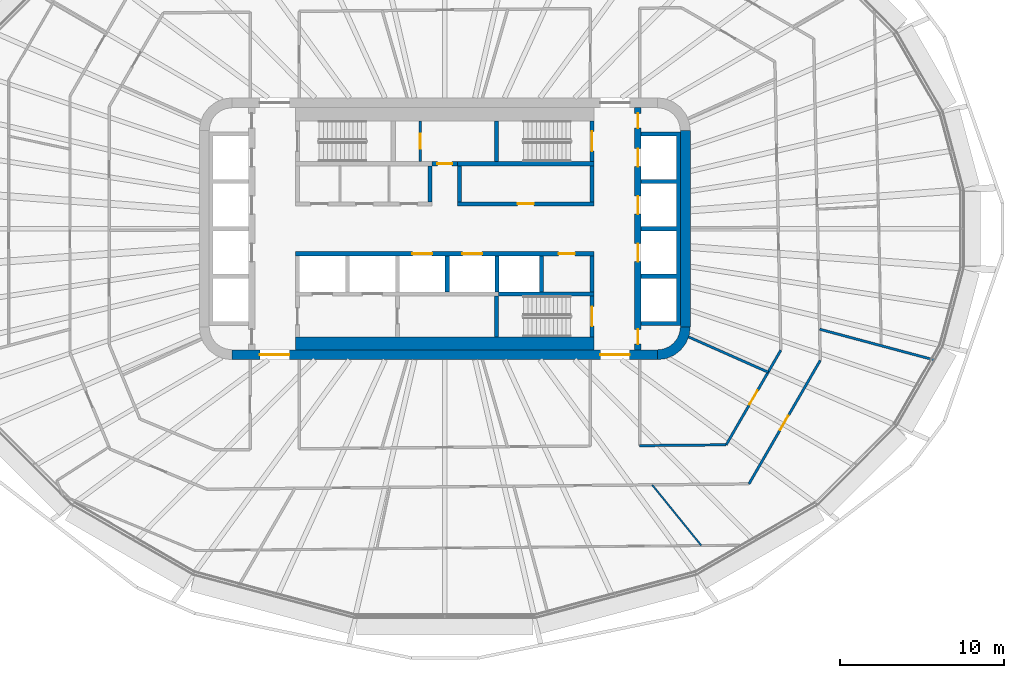
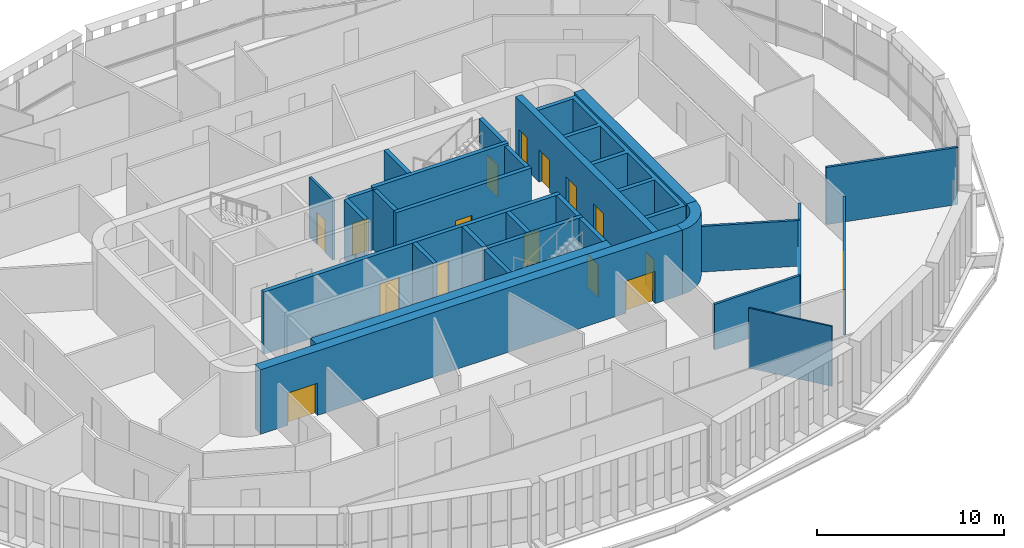
# One storey, part 16 of 26: 29 walls, 17 doors, 17 openings.
"""IFC4 building model written with IfcOpenShell, lengths in metres."""

from ifc_helpers import new_model, si_unit, direction, frame, frame_2d, origin, place, context, subcontext, project, spatial, polyline, rectangle, outline, extrude, material, layer, layer_set, type_object, element, fill, save


model = new_model("IFC4")

# Units and contexts
model_context = context("Model", 3, precision=1e-05, world=origin(), true_north=direction((0.0, 1.0)))
body_context = subcontext(model_context, "Body", "Model", "MODEL_VIEW")
ifc_project = project(units=[si_unit("LENGTHUNIT", "METRE"), si_unit("AREAUNIT", "SQUARE_METRE"), si_unit("VOLUMEUNIT", "CUBIC_METRE"), si_unit("PLANEANGLEUNIT", "RADIAN"), si_unit("MASSUNIT", "GRAM", prefix="KILO")], contexts=[model_context])

# Site, building, storey
site_placement = place(None, origin())
site = spatial("IfcSite", under=ifc_project, at=site_placement, CompositionType="ELEMENT")
building_placement = place(site_placement, origin())
building = spatial("IfcBuilding", under=site, at=building_placement, Name="Sahrelin Media Tower", CompositionType="ELEMENT")
storey_placement = place(building_placement, frame((0.0, 0.0, 84.0)))
storey = spatial("IfcBuildingStorey", under=building, at=storey_placement, Name="L15", CompositionType="ELEMENT", Elevation=84.0)

# Wall, openings, doors
ifc_material_1 = material(Name="Concrete C60/75", Category="concrete")
ifc_layer_1 = layer(ifc_material_1, 0.60009765625)
ifc_layer_set_1 = layer_set([ifc_layer_1], Name="Core wall 600")
wall_type_1 = type_object("IfcWallType", Name="Core wall 600", PredefinedType="SHEAR", material=ifc_layer_set_1)
wall_1_placement = place(storey_placement, frame((-13.0, -7.699951171875, 0.0), z_axis=(0.0, 0.0, 1.0), x_axis=(1.0, 0.0, 0.0)))
wall_1 = element("IfcWall", 1, at=wall_1_placement, inside=storey, type_object=wall_type_1, Name="Core wall S L15", PredefinedType="SHEAR", context=body_context, shape_type="SweptSolid", body=[
    extrude(rectangle(XDim=26.0, YDim=0.60009765625, at=frame_2d((13.0, 0.0))), origin(), (0.0, 0.0, 1.0), 4.199951171875),
])
opening_1_placement = place(wall_1_placement, frame((1.699951171875, 0.0, 0.0)))
opening_1 = element("IfcOpeningElement", 2, at=opening_1_placement, cuts=wall_1, Name="Opening L15-D19", PredefinedType="OPENING", context=body_context, shape_type="SweptSolid", body=[
    extrude(rectangle(XDim=1.800048828125, YDim=2.10009765625, at=frame_2d((0.89990234375, 1.050048828125))), frame((0.0, 0.300048828125, 0.0), z_axis=(0.0, -1.0, 0.0), x_axis=(1.0, 0.0, 0.0)), (0.0, 0.0, 1.0), 0.60009765625),
])
opening_2_placement = place(wall_1_placement, frame((22.5, 0.0, 0.0)))
opening_2 = element("IfcOpeningElement", 3, at=opening_2_placement, cuts=wall_1, Name="Opening L15-D20", PredefinedType="OPENING", context=body_context, shape_type="SweptSolid", body=[
    extrude(rectangle(XDim=1.800048828125, YDim=2.10009765625, at=frame_2d((0.89990234375, 1.050048828125))), frame((0.0, 0.300048828125, 0.0), z_axis=(0.0, -1.0, 0.0), x_axis=(1.0, 0.0, 0.0)), (0.0, 0.0, 1.0), 0.60009765625),
])
ifc_material_2 = material(Name="Steel fire door leaf", Category="steel")
door_type_1 = type_object("IfcDoorType", Name="Lobby double door 1800 x 2100 EI 60", OperationType="DOUBLE_DOOR_SINGLE_SWING", PredefinedType="DOOR", material=ifc_material_2)
door_1_placement = place(opening_1_placement, origin())
door_1 = element("IfcDoor", 4, at=door_1_placement, inside=storey, type_object=door_type_1, Name="Lobby door", OperationType="DOUBLE_DOOR_SINGLE_SWING", OverallHeight=2.10009765625, OverallWidth=1.800048828125, PredefinedType="DOOR", context=body_context, shape_type="SweptSolid", body=[
    extrude(rectangle(XDim=1.800048828125, YDim=2.10009765625, at=frame_2d((0.89990234375, 1.050048828125))), frame((0.0, 0.02490234375, 0.0), z_axis=(0.0, -1.0, 0.0), x_axis=(1.0, 0.0, 0.0)), (0.0, 0.0, 1.0), 0.050048828125),
])
fill(opening_1, door_1)
door_2_placement = place(opening_2_placement, origin())
door_2 = element("IfcDoor", 5, at=door_2_placement, inside=storey, type_object=door_type_1, Name="Lobby door", OperationType="DOUBLE_DOOR_SINGLE_SWING", OverallHeight=2.10009765625, OverallWidth=1.800048828125, PredefinedType="DOOR", context=body_context, shape_type="SweptSolid", body=[
    extrude(rectangle(XDim=1.800048828125, YDim=2.10009765625, at=frame_2d((0.89990234375, 1.050048828125))), frame((0.0, 0.02490234375, 0.0), z_axis=(0.0, -1.0, 0.0), x_axis=(1.0, 0.0, 0.0)), (0.0, 0.0, 1.0), 0.050048828125),
])
fill(opening_2, door_2)

# Walls
wall_2_placement = place(storey_placement, frame((14.699951171875, -6.0, 0.0), z_axis=(0.0, 0.0, 1.0), x_axis=(0.0, 1.0, 0.0)))
element("IfcWall", 6, at=wall_2_placement, inside=storey, type_object=wall_type_1, Name="Core wall E L15", PredefinedType="SHEAR", context=body_context, shape_type="SweptSolid", body=[
    extrude(rectangle(XDim=12.0, YDim=0.60009765625, at=frame_2d((6.0, 0.0))), origin(), (0.0, 0.0, 1.0), 4.199951171875),
])
placement = place(storey_placement, origin())
element("IfcWall", 7, at=placement, inside=storey, type_object=wall_type_1, Name="Core wall corner SE L15", PredefinedType="SHEAR", context=body_context, shape_type="SweptSolid", body=[
    extrude(outline(polyline([(15.0, -6.0), (14.394775390625, -6.0), (14.347412109375, -6.361083984375), (14.2080078125, -6.697509765625), (13.986328125, -6.986328125), (13.697509765625, -7.2080078125), (13.361083984375, -7.347412109375), (13.0, -7.394775390625), (13.0, -8.0), (13.517578125, -7.931884765625), (14.0, -7.732177734375), (14.414306640625, -7.414306640625), (14.732177734375, -7.0), (14.931884765625, -6.517578125), (15.0, -6.0)])), origin(), (0.0, 0.0, 1.0), 4.199951171875),
])

# Wall, opening, door
ifc_material_3 = material(Name="Fire-rated gypsum board partition")
ifc_layer_2 = layer(ifc_material_3, 0.25)
ifc_layer_set_2 = layer_set([ifc_layer_2], Name="Fire-rated lobby wall 250")
wall_type_2 = type_object("IfcWallType", Name="Fire-rated lobby wall 250", PredefinedType="PARTITIONING", material=ifc_layer_set_2)
wall_4_placement = place(storey_placement, frame((-0.77490234375, 3.97509765625, 0.0), z_axis=(0.0, 0.0, 1.0), x_axis=(1.0, 0.0, 0.0)))
wall_4 = element("IfcWall", 8, at=wall_4_placement, inside=storey, type_object=wall_type_2, Name="Core lobby wall", PredefinedType="PARTITIONING", context=body_context, shape_type="SweptSolid", body=[
    extrude(rectangle(XDim=1.5498046875, YDim=0.25, at=frame_2d((0.77490234375, 0.0))), origin(), (0.0, 0.0, 1.0), 3.89990234375),
])
opening_3_placement = place(wall_4_placement, frame((0.324951171875, 0.0, 0.0)))
opening_3 = element("IfcOpeningElement", 9, at=opening_3_placement, cuts=wall_4, Name="Opening L15-D06", PredefinedType="OPENING", context=body_context, shape_type="SweptSolid", body=[
    extrude(rectangle(XDim=0.89990234375, YDim=2.10009765625, at=frame_2d((0.449951171875, 1.050048828125))), frame((0.0, 0.125, 0.0), z_axis=(0.0, -1.0, 0.0), x_axis=(1.0, 0.0, 0.0)), (0.0, 0.0, 1.0), 0.25),
])
door_type_2 = type_object("IfcDoorType", Name="Riser door 900 x 2100 EI 120", OperationType="NOTDEFINED", PredefinedType="DOOR", material=ifc_material_2)
door_3_placement = place(opening_3_placement, origin())
door_3 = element("IfcDoor", 10, at=door_3_placement, inside=storey, type_object=door_type_2, Name="Core room door", OperationType="SINGLE_SWING_LEFT", OverallHeight=2.10009765625, OverallWidth=0.89990234375, PredefinedType="DOOR", context=body_context, shape_type="SweptSolid", body=[
    extrude(rectangle(XDim=0.89990234375, YDim=2.10009765625, at=frame_2d((0.449951171875, 1.050048828125))), frame((0.0, 0.02490234375, 0.0), z_axis=(0.0, -1.0, 0.0), x_axis=(1.0, 0.0, 0.0)), (0.0, 0.0, 1.0), 0.050048828125),
])
fill(opening_3, door_3)

wall_5_placement = place(storey_placement, frame((0.77490234375, 1.52490234375, 0.0), z_axis=(0.0, 0.0, 1.0), x_axis=(1.0, 0.0, 0.0)))
wall_5 = element("IfcWall", 11, at=wall_5_placement, inside=storey, type_object=wall_type_2, Name="Core lobby wall", PredefinedType="PARTITIONING", context=body_context, shape_type="SweptSolid", body=[
    extrude(rectangle(XDim=8.35009765625, YDim=0.25, at=frame_2d((4.175048828125, 0.0))), origin(), (0.0, 0.0, 1.0), 3.89990234375),
])
opening_4_placement = place(wall_5_placement, frame((3.675048828125, 0.0, 0.0)))
opening_4 = element("IfcOpeningElement", 12, at=opening_4_placement, cuts=wall_5, Name="Opening L15-D11", PredefinedType="OPENING", context=body_context, shape_type="SweptSolid", body=[
    extrude(rectangle(XDim=1.0, YDim=2.10009765625, at=frame_2d((0.5, 1.050048828125))), frame((0.0, 0.125, 0.0), z_axis=(0.0, -1.0, 0.0), x_axis=(1.0, 0.0, 0.0)), (0.0, 0.0, 1.0), 0.25),
])
door_type_3 = type_object("IfcDoorType", Name="Fire door 1000 x 2100 EI 60", OperationType="NOTDEFINED", PredefinedType="DOOR", material=ifc_material_2)
door_4_placement = place(opening_4_placement, origin())
door_4 = element("IfcDoor", 13, at=door_4_placement, inside=storey, type_object=door_type_3, Name="Core room door", OperationType="SINGLE_SWING_LEFT", OverallHeight=2.10009765625, OverallWidth=1.0, PredefinedType="DOOR", context=body_context, shape_type="SweptSolid", body=[
    extrude(rectangle(XDim=1.0, YDim=2.10009765625, at=frame_2d((0.5, 1.050048828125))), frame((0.0, 0.02490234375, 0.0), z_axis=(0.0, -1.0, 0.0), x_axis=(1.0, 0.0, 0.0)), (0.0, 0.0, 1.0), 0.050048828125),
])
fill(opening_4, door_4)

# Walls
for number, where, z_axis, x_axis, name in (
    (14, (-0.89990234375, 1.64990234375, 0.0), (0.0, 0.0, 1.0), (0.0, 1.0, 0.0), "Core lobby wall"),
    (15, (9.0, 1.64990234375, 0.0), (0.0, 0.0, 1.0), (0.0, 1.0, 0.0), "Core lobby wall"),
    (16, (0.89990234375, 1.64990234375, 0.0), (0.0, 0.0, 1.0), (0.0, 1.0, 0.0), "Core lobby wall"),
):
    element("IfcWall", number, at=place(storey_placement, frame(where, z_axis=z_axis, x_axis=x_axis)), inside=storey, type_object=wall_type_2, Name=name, PredefinedType="PARTITIONING", context=body_context, shape_type="SweptSolid", body=[
        extrude(rectangle(XDim=2.2001953125, YDim=0.25, at=frame_2d((1.10009765625, 0.0))), origin(), (0.0, 0.0, 1.0), 3.89990234375),
    ])

# Wall, opening, door
ifc_layer_3 = layer(ifc_material_3, 0.14990234375)
ifc_layer_set_3 = layer_set([ifc_layer_3], Name="Fire-rated partition 150")
wall_type_3 = type_object("IfcWallType", Name="Fire-rated partition 150", PredefinedType="PARTITIONING", material=ifc_layer_set_3)
wall_6_placement = place(storey_placement, frame((-1.5, 4.10009765625, 0.0), z_axis=(0.0, 0.0, 1.0), x_axis=(0.0, 1.0, 0.0)))
wall_6 = element("IfcWall", 17, at=wall_6_placement, inside=storey, type_object=wall_type_3, Name="Core room fire partition", PredefinedType="PARTITIONING", context=body_context, shape_type="SweptSolid", body=[
    extrude(rectangle(XDim=2.5, YDim=0.14990234375, at=frame_2d((1.25, 0.0))), origin(), (0.0, 0.0, 1.0), 3.89990234375),
])
opening_5_placement = place(wall_6_placement, frame((0.800048828125, 0.0, 0.0)))
opening_5 = element("IfcOpeningElement", 18, at=opening_5_placement, cuts=wall_6, Name="Opening L15-D07", PredefinedType="OPENING", context=body_context, shape_type="SweptSolid", body=[
    extrude(rectangle(XDim=0.89990234375, YDim=2.10009765625, at=frame_2d((0.449951171875, 1.050048828125))), frame((0.0, 0.074951171875, 0.0), z_axis=(0.0, -1.0, 0.0), x_axis=(1.0, 0.0, 0.0)), (0.0, 0.0, 1.0), 0.14990234375),
])
door_type_4 = type_object("IfcDoorType", Name="Fire door 900 x 2100 EI 60", OperationType="NOTDEFINED", PredefinedType="DOOR", material=ifc_material_2)
door_5_placement = place(opening_5_placement, origin())
door_5 = element("IfcDoor", 19, at=door_5_placement, inside=storey, type_object=door_type_4, Name="Core room door", OperationType="SINGLE_SWING_LEFT", OverallHeight=2.10009765625, OverallWidth=0.89990234375, PredefinedType="DOOR", context=body_context, shape_type="SweptSolid", body=[
    extrude(rectangle(XDim=0.89990234375, YDim=2.10009765625, at=frame_2d((0.449951171875, 1.050048828125))), frame((0.0, 0.02490234375, 0.0), z_axis=(0.0, -1.0, 0.0), x_axis=(1.0, 0.0, 0.0)), (0.0, 0.0, 1.0), 0.050048828125),
])
fill(opening_5, door_5)

# Walls
wall_7_placement = place(storey_placement, frame((14.89501953125, -6.60693359375, 0.0), z_axis=(0.0, 0.0, 1.0), x_axis=(0.914233271379, -0.405188259337, 0.0)))
element("IfcWall", 20, at=wall_7_placement, inside=storey, type_object=wall_type_3, Name="Wall", PredefinedType="PARTITIONING", context=body_context, shape_type="SweptSolid", body=[
    extrude(rectangle(XDim=5.3173828125, YDim=0.14990234375, at=frame_2d((2.65869140625, 0.0))), origin(), (0.0, 0.0, 1.0), 2.97705078125),
])
wall_8_placement = place(storey_placement, frame((22.905029296875, -6.136962890625, 0.0), z_axis=(0.0, 0.0, 1.0), x_axis=(0.965915974273, -0.258855810529, 0.0)))
element("IfcWall", 21, at=wall_8_placement, inside=storey, type_object=wall_type_3, Name="Wall", PredefinedType="PARTITIONING", context=body_context, shape_type="SweptSolid", body=[
    extrude(rectangle(XDim=7.270751953125, YDim=0.14990234375, at=frame_2d((3.63525390625, 0.0))), origin(), (0.0, 0.0, 1.0), 3.7265625),
])
wall_9_placement = place(storey_placement, frame((11.89990234375, -13.2529296875, 0.0), z_axis=(0.0, 0.0, 1.0), x_axis=(0.999950853109, 0.009914200296, 0.0)))
element("IfcWall", 22, at=wall_9_placement, inside=storey, type_object=wall_type_3, Name="Wall", PredefinedType="PARTITIONING", context=body_context, shape_type="SweptSolid", body=[
    extrude(rectangle(XDim=5.29443359375, YDim=0.14990234375, at=frame_2d((2.647216796875, 0.0))), origin(), (0.0, 0.0, 1.0), 2.96826171875),
])

# Wall, opening, door
wall_10_placement = place(storey_placement, frame((18.5869140625, -15.5869140625, 0.0), z_axis=(0.0, 0.0, 1.0), x_axis=(0.500026433136, 0.866010142069, 0.0)))
wall_10 = element("IfcWall", 23, at=wall_10_placement, inside=storey, type_object=wall_type_3, Name="Wall", PredefinedType="PARTITIONING", context=body_context, shape_type="SweptSolid", body=[
    extrude(rectangle(XDim=8.71337890625, YDim=0.14990234375, at=frame_2d((4.356689453125, 0.0))), origin(), (0.0, 0.0, 1.0), 2.96826171875),
])
opening_6_placement = place(wall_10_placement, frame((3.80712890625, 0.0, 0.0)))
opening_6 = element("IfcOpeningElement", 24, at=opening_6_placement, cuts=wall_10, Name="Opening L15-D36", PredefinedType="OPENING", context=body_context, shape_type="SweptSolid", body=[
    extrude(rectangle(XDim=1.0, YDim=2.10009765625, at=frame_2d((0.5, 1.050048828125))), frame((0.0, 0.074951171875, 0.0), z_axis=(0.0, -1.0, 0.0), x_axis=(1.0, 0.0, 0.0)), (0.0, 0.0, 1.0), 0.14990234375),
])
door_6_placement = place(opening_6_placement, origin())
door_6 = element("IfcDoor", 25, at=door_6_placement, inside=storey, type_object=door_type_3, Name="Fire door", OperationType="SINGLE_SWING_LEFT", OverallHeight=2.10009765625, OverallWidth=1.0, PredefinedType="DOOR", context=body_context, shape_type="SweptSolid", body=[
    extrude(rectangle(XDim=1.0, YDim=2.10009765625, at=frame_2d((0.5, 1.050048828125))), frame((0.0, 0.02490234375, 0.0), z_axis=(0.0, -1.0, 0.0), x_axis=(1.0, 0.0, 0.0)), (0.0, 0.0, 1.0), 0.050048828125),
])
fill(opening_6, door_6)

wall_11_placement = place(storey_placement, frame((17.194091796875, -13.200927734375, 0.0), z_axis=(0.0, 0.0, 1.0), x_axis=(0.50001062018, 0.866019272134, 0.0)))
wall_11 = element("IfcWall", 26, at=wall_11_placement, inside=storey, type_object=wall_type_3, Name="Wall", PredefinedType="PARTITIONING", context=body_context, shape_type="SweptSolid", body=[
    extrude(rectangle(XDim=6.673583984375, YDim=0.14990234375, at=frame_2d((3.3369140625, 0.0))), origin(), (0.0, 0.0, 1.0), 2.96826171875),
])
opening_7_placement = place(wall_11_placement, frame((2.83349609375, 0.0, 0.0)))
opening_7 = element("IfcOpeningElement", 27, at=opening_7_placement, cuts=wall_11, Name="Opening L15-D24", PredefinedType="OPENING", context=body_context, shape_type="SweptSolid", body=[
    extrude(rectangle(XDim=1.0, YDim=2.10009765625, at=frame_2d((0.5, 1.050048828125))), frame((0.0, 0.074951171875, 0.0), z_axis=(0.0, -1.0, 0.0), x_axis=(1.0, 0.0, 0.0)), (0.0, 0.0, 1.0), 0.14990234375),
])
door_7_placement = place(opening_7_placement, origin())
door_7 = element("IfcDoor", 28, at=door_7_placement, inside=storey, type_object=door_type_3, Name="Fire door", OperationType="SINGLE_SWING_LEFT", OverallHeight=2.10009765625, OverallWidth=1.0, PredefinedType="DOOR", context=body_context, shape_type="SweptSolid", body=[
    extrude(rectangle(XDim=1.0, YDim=2.10009765625, at=frame_2d((0.5, 1.050048828125))), frame((0.0, 0.02490234375, 0.0), z_axis=(0.0, -1.0, 0.0), x_axis=(1.0, 0.0, 0.0)), (0.0, 0.0, 1.0), 0.050048828125),
])
fill(opening_7, door_7)

# Wall, openings, doors
ifc_layer_4 = layer(ifc_material_1, 0.25)
ifc_layer_set_4 = layer_set([ifc_layer_4], Name="Lift shaft wall 250")
wall_type_4 = type_object("IfcWallType", Name="Lift shaft wall 250", PredefinedType="SOLIDWALL", material=ifc_layer_set_4)
wall_12_placement = place(storey_placement, frame((-9.125, -1.52490234375, 0.0), z_axis=(0.0, 0.0, 1.0), x_axis=(1.0, 0.0, 0.0)))
wall_12 = element("IfcWall", 29, at=wall_12_placement, inside=storey, type_object=wall_type_4, Name="Lift shaft wall", PredefinedType="SOLIDWALL", context=body_context, shape_type="SweptSolid", body=[
    extrude(rectangle(XDim=18.25, YDim=0.25, at=frame_2d((9.125, 0.0))), origin(), (0.0, 0.0, 1.0), 4.050048828125),
])
opening_8_placement = place(wall_12_placement, frame((7.14990234375, 0.0, 0.0)))
opening_8 = element("IfcOpeningElement", 30, at=opening_8_placement, cuts=wall_12, Name="Opening L15-LD-SV1", PredefinedType="OPENING", context=body_context, shape_type="SweptSolid", body=[
    extrude(rectangle(XDim=1.199951171875, YDim=2.10009765625, at=frame_2d((0.60009765625, 1.050048828125))), frame((0.0, 0.125, 0.0), z_axis=(0.0, -1.0, 0.0), x_axis=(1.0, 0.0, 0.0)), (0.0, 0.0, 1.0), 0.25),
])
opening_9_placement = place(wall_12_placement, frame((10.199951171875, 0.0, 0.0)))
opening_9 = element("IfcOpeningElement", 31, at=opening_9_placement, cuts=wall_12, Name="Opening L15-LD-SV2", PredefinedType="OPENING", context=body_context, shape_type="SweptSolid", body=[
    extrude(rectangle(XDim=1.199951171875, YDim=2.10009765625, at=frame_2d((0.60009765625, 1.050048828125))), frame((0.0, 0.125, 0.0), z_axis=(0.0, -1.0, 0.0), x_axis=(1.0, 0.0, 0.0)), (0.0, 0.0, 1.0), 0.25),
])
opening_10_placement = place(wall_12_placement, frame((16.074951171875, 0.0, 0.0)))
opening_10 = element("IfcOpeningElement", 32, at=opening_10_placement, cuts=wall_12, Name="Opening L15-D12", PredefinedType="OPENING", context=body_context, shape_type="SweptSolid", body=[
    extrude(rectangle(XDim=1.0, YDim=2.10009765625, at=frame_2d((0.5, 1.050048828125))), frame((0.0, 0.125, 0.0), z_axis=(0.0, -1.0, 0.0), x_axis=(1.0, 0.0, 0.0)), (0.0, 0.0, 1.0), 0.25),
])
door_8_placement = place(opening_10_placement, origin())
door_8 = element("IfcDoor", 33, at=door_8_placement, inside=storey, type_object=door_type_3, Name="Core room door", OperationType="SINGLE_SWING_RIGHT", OverallHeight=2.10009765625, OverallWidth=1.0, PredefinedType="DOOR", context=body_context, shape_type="SweptSolid", body=[
    extrude(rectangle(XDim=1.0, YDim=2.10009765625, at=frame_2d((0.5, 1.050048828125))), frame((0.0, 0.02490234375, 0.0), z_axis=(0.0, -1.0, 0.0), x_axis=(1.0, 0.0, 0.0)), (0.0, 0.0, 1.0), 0.050048828125),
])
fill(opening_10, door_8)
ifc_material_4 = material(Name="Stainless steel", Category="steel")
door_type_5 = type_object("IfcDoorType", Name="Lift landing door 1200 x 2100 EI 120", OperationType="DOUBLE_DOOR_SLIDING", PredefinedType="DOOR", material=ifc_material_4)
door_9_placement = place(opening_8_placement, origin())
door_9 = element("IfcDoor", 34, at=door_9_placement, inside=storey, type_object=door_type_5, Name="Lift landing door SV1", OperationType="DOUBLE_DOOR_SLIDING", OverallHeight=2.10009765625, OverallWidth=1.199951171875, PredefinedType="DOOR", context=body_context, shape_type="SweptSolid", body=[
    extrude(rectangle(XDim=1.199951171875, YDim=2.10009765625, at=frame_2d((0.60009765625, 1.050048828125))), frame((0.0, 0.02490234375, 0.0), z_axis=(0.0, -1.0, 0.0), x_axis=(1.0, 0.0, 0.0)), (0.0, 0.0, 1.0), 0.050048828125),
])
fill(opening_8, door_9)
door_10_placement = place(opening_9_placement, origin())
door_10 = element("IfcDoor", 35, at=door_10_placement, inside=storey, type_object=door_type_5, Name="Lift landing door SV2", OperationType="DOUBLE_DOOR_SLIDING", OverallHeight=2.10009765625, OverallWidth=1.199951171875, PredefinedType="DOOR", context=body_context, shape_type="SweptSolid", body=[
    extrude(rectangle(XDim=1.199951171875, YDim=2.10009765625, at=frame_2d((0.60009765625, 1.050048828125))), frame((0.0, 0.02490234375, 0.0), z_axis=(0.0, -1.0, 0.0), x_axis=(1.0, 0.0, 0.0)), (0.0, 0.0, 1.0), 0.050048828125),
])
fill(opening_9, door_10)

# Walls
wall_13_placement = place(storey_placement, frame((3.27490234375, -3.97509765625, 0.0), z_axis=(0.0, 0.0, 1.0), x_axis=(1.0, 0.0, 0.0)))
element("IfcWall", 36, at=wall_13_placement, inside=storey, type_object=wall_type_4, Name="Lift shaft wall", PredefinedType="SOLIDWALL", context=body_context, shape_type="SweptSolid", body=[
    extrude(rectangle(XDim=5.85009765625, YDim=0.25, at=frame_2d((2.925048828125, 0.0))), origin(), (0.0, 0.0, 1.0), 4.050048828125),
])
for number, where, z_axis, x_axis, name in (
    (37, (0.14990234375, -3.85009765625, 0.0), (0.0, 0.0, 1.0), (0.0, 1.0, 0.0), "Lift shaft wall"),
    (38, (3.199951171875, -3.85009765625, 0.0), (0.0, 0.0, 1.0), (0.0, 1.0, 0.0), "Lift shaft wall"),
    (39, (5.89990234375, -3.85009765625, 0.0), (0.0, 0.0, 1.0), (0.0, 1.0, 0.0), "Lift shaft wall"),
    (40, (9.0, -3.85009765625, 0.0), (0.0, 0.0, 1.0), (0.0, 1.0, 0.0), "Lift shaft wall"),
):
    element("IfcWall", number, at=place(storey_placement, frame(where, z_axis=z_axis, x_axis=x_axis)), inside=storey, type_object=wall_type_4, Name=name, PredefinedType="SOLIDWALL", context=body_context, shape_type="SweptSolid", body=[
        extrude(rectangle(XDim=2.2001953125, YDim=0.25, at=frame_2d((1.10009765625, 0.0))), origin(), (0.0, 0.0, 1.0), 4.050048828125),
    ])
element("IfcWall", 41, at=placement, inside=storey, type_object=wall_type_4, Name="Lift shaft wall", PredefinedType="SOLIDWALL", context=body_context, shape_type="SweptSolid", body=[
    extrude(outline(polyline([(12.0, -5.675048828125), (12.0, -5.925048828125), (14.14990234375, -5.925048828125), (14.39990234375, -5.925048828125), (14.39990234375, -5.675048828125), (14.39990234375, -3.02490234375), (14.39990234375, -2.77490234375), (14.39990234375, -0.125), (14.39990234375, 0.125), (14.39990234375, 2.77490234375), (14.39990234375, 3.02490234375), (14.39990234375, 5.675048828125), (14.39990234375, 5.925048828125), (14.14990234375, 5.925048828125), (12.0, 5.925048828125), (12.0, 5.675048828125), (14.14990234375, 5.675048828125), (14.14990234375, 3.02490234375), (12.0, 3.02490234375), (12.0, 2.77490234375), (14.14990234375, 2.77490234375), (14.14990234375, 0.125), (12.0, 0.125), (12.0, -0.125), (14.14990234375, -0.125), (14.14990234375, -2.77490234375), (12.0, -2.77490234375), (12.0, -3.02490234375), (14.14990234375, -3.02490234375), (14.14990234375, -5.675048828125), (12.0, -5.675048828125)])), origin(), (0.0, 0.0, 1.0), 4.050048828125),
])

# Wall, openings, doors
ifc_layer_5 = layer(ifc_material_1, 0.39990234375)
ifc_layer_set_5 = layer_set([ifc_layer_5], Name="Lift shaft wall 400")
wall_type_5 = type_object("IfcWallType", Name="Lift shaft wall 400", PredefinedType="SOLIDWALL", material=ifc_layer_set_5)
wall_15_placement = place(storey_placement, frame((11.800048828125, -7.39990234375, 0.0), z_axis=(0.0, 0.0, 1.0), x_axis=(0.0, 1.0, 0.0)))
wall_15 = element("IfcWall", 42, at=wall_15_placement, inside=storey, type_object=wall_type_5, Name="Lift shaft wall", PredefinedType="SOLIDWALL", context=body_context, shape_type="SweptSolid", body=[
    extrude(rectangle(XDim=14.7998046875, YDim=0.39990234375, at=frame_2d((7.39990234375, 0.0))), origin(), (0.0, 0.0, 1.0), 4.050048828125),
])
opening_11_placement = place(wall_15_placement, frame((11.199951171875, 0.0, 0.0)))
opening_11 = element("IfcOpeningElement", 43, at=opening_11_placement, cuts=wall_15, Name="Opening L15-LD-LR4", PredefinedType="OPENING", context=body_context, shape_type="SweptSolid", body=[
    extrude(rectangle(XDim=1.10009765625, YDim=2.10009765625, at=frame_2d((0.550048828125, 1.050048828125))), frame((0.0, 0.199951171875, 0.0), z_axis=(0.0, -1.0, 0.0), x_axis=(1.0, 0.0, 0.0)), (0.0, 0.0, 1.0), 0.39990234375),
])
opening_12_placement = place(wall_15_placement, frame((8.300048828125, 0.0, 0.0)))
opening_12 = element("IfcOpeningElement", 44, at=opening_12_placement, cuts=wall_15, Name="Opening L15-LD-LR5", PredefinedType="OPENING", context=body_context, shape_type="SweptSolid", body=[
    extrude(rectangle(XDim=1.10009765625, YDim=2.10009765625, at=frame_2d((0.550048828125, 1.050048828125))), frame((0.0, 0.199951171875, 0.0), z_axis=(0.0, -1.0, 0.0), x_axis=(1.0, 0.0, 0.0)), (0.0, 0.0, 1.0), 0.39990234375),
])
opening_13_placement = place(wall_15_placement, frame((5.39990234375, 0.0, 0.0)))
opening_13 = element("IfcOpeningElement", 45, at=opening_13_placement, cuts=wall_15, Name="Opening L15-LD-LR6", PredefinedType="OPENING", context=body_context, shape_type="SweptSolid", body=[
    extrude(rectangle(XDim=1.10009765625, YDim=2.10009765625, at=frame_2d((0.550048828125, 1.050048828125))), frame((0.0, 0.199951171875, 0.0), z_axis=(0.0, -1.0, 0.0), x_axis=(1.0, 0.0, 0.0)), (0.0, 0.0, 1.0), 0.39990234375),
])
opening_14_placement = place(wall_15_placement, frame((13.552490234375, 0.0, 0.0)))
opening_14 = element("IfcOpeningElement", 46, at=opening_14_placement, cuts=wall_15, Name="Opening L15-D15", PredefinedType="OPENING", context=body_context, shape_type="SweptSolid", body=[
    extrude(rectangle(XDim=0.89990234375, YDim=2.10009765625, at=frame_2d((0.449951171875, 1.050048828125))), frame((0.0, 0.199951171875, 0.0), z_axis=(0.0, -1.0, 0.0), x_axis=(1.0, 0.0, 0.0)), (0.0, 0.0, 1.0), 0.39990234375),
])
opening_15_placement = place(wall_15_placement, frame((0.347412109375, 0.0, 0.0)))
opening_15 = element("IfcOpeningElement", 47, at=opening_15_placement, cuts=wall_15, Name="Opening L15-D16", PredefinedType="OPENING", context=body_context, shape_type="SweptSolid", body=[
    extrude(rectangle(XDim=0.89990234375, YDim=2.10009765625, at=frame_2d((0.449951171875, 1.050048828125))), frame((0.0, 0.199951171875, 0.0), z_axis=(0.0, -1.0, 0.0), x_axis=(1.0, 0.0, 0.0)), (0.0, 0.0, 1.0), 0.39990234375),
])
door_type_6 = type_object("IfcDoorType", Name="Lift landing door 1100 x 2100 EI 120", OperationType="DOUBLE_DOOR_SLIDING", PredefinedType="DOOR", material=ifc_material_4)
door_11_placement = place(opening_11_placement, origin())
door_11 = element("IfcDoor", 48, at=door_11_placement, inside=storey, type_object=door_type_6, Name="Lift landing door LR4", OperationType="DOUBLE_DOOR_SLIDING", OverallHeight=2.10009765625, OverallWidth=1.10009765625, PredefinedType="DOOR", context=body_context, shape_type="SweptSolid", body=[
    extrude(rectangle(XDim=1.10009765625, YDim=2.10009765625, at=frame_2d((0.550048828125, 1.050048828125))), frame((0.0, 0.02490234375, 0.0), z_axis=(0.0, -1.0, 0.0), x_axis=(1.0, 0.0, 0.0)), (0.0, 0.0, 1.0), 0.050048828125),
])
fill(opening_11, door_11)
door_12_placement = place(opening_12_placement, origin())
door_12 = element("IfcDoor", 49, at=door_12_placement, inside=storey, type_object=door_type_6, Name="Lift landing door LR5", OperationType="DOUBLE_DOOR_SLIDING", OverallHeight=2.10009765625, OverallWidth=1.10009765625, PredefinedType="DOOR", context=body_context, shape_type="SweptSolid", body=[
    extrude(rectangle(XDim=1.10009765625, YDim=2.10009765625, at=frame_2d((0.550048828125, 1.050048828125))), frame((0.0, 0.02490234375, 0.0), z_axis=(0.0, -1.0, 0.0), x_axis=(1.0, 0.0, 0.0)), (0.0, 0.0, 1.0), 0.050048828125),
])
fill(opening_12, door_12)
door_13_placement = place(opening_13_placement, origin())
door_13 = element("IfcDoor", 50, at=door_13_placement, inside=storey, type_object=door_type_6, Name="Lift landing door LR6", OperationType="DOUBLE_DOOR_SLIDING", OverallHeight=2.10009765625, OverallWidth=1.10009765625, PredefinedType="DOOR", context=body_context, shape_type="SweptSolid", body=[
    extrude(rectangle(XDim=1.10009765625, YDim=2.10009765625, at=frame_2d((0.550048828125, 1.050048828125))), frame((0.0, 0.02490234375, 0.0), z_axis=(0.0, -1.0, 0.0), x_axis=(1.0, 0.0, 0.0)), (0.0, 0.0, 1.0), 0.050048828125),
])
fill(opening_13, door_13)
door_14_placement = place(opening_14_placement, origin())
door_14 = element("IfcDoor", 51, at=door_14_placement, inside=storey, type_object=door_type_2, Name="Riser door", OperationType="SINGLE_SWING_RIGHT", OverallHeight=2.10009765625, OverallWidth=0.89990234375, PredefinedType="DOOR", context=body_context, shape_type="SweptSolid", body=[
    extrude(rectangle(XDim=0.89990234375, YDim=2.10009765625, at=frame_2d((0.449951171875, 1.050048828125))), frame((0.0, 0.02490234375, 0.0), z_axis=(0.0, -1.0, 0.0), x_axis=(1.0, 0.0, 0.0)), (0.0, 0.0, 1.0), 0.050048828125),
])
fill(opening_14, door_14)
door_15_placement = place(opening_15_placement, origin())
door_15 = element("IfcDoor", 52, at=door_15_placement, inside=storey, type_object=door_type_2, Name="Riser door", OperationType="SINGLE_SWING_RIGHT", OverallHeight=2.10009765625, OverallWidth=0.89990234375, PredefinedType="DOOR", context=body_context, shape_type="SweptSolid", body=[
    extrude(rectangle(XDim=0.89990234375, YDim=2.10009765625, at=frame_2d((0.449951171875, 1.050048828125))), frame((0.0, 0.02490234375, 0.0), z_axis=(0.0, -1.0, 0.0), x_axis=(1.0, 0.0, 0.0)), (0.0, 0.0, 1.0), 0.050048828125),
])
fill(opening_15, door_15)

# Wall
ifc_material_5 = material(Name="Gypsum board partition")
ifc_layer_6 = layer(ifc_material_5, 0.10009765625)
ifc_layer_set_6 = layer_set([ifc_layer_6], Name="Partition 100")
wall_type_6 = type_object("IfcWallType", Name="Partition 100", PredefinedType="PARTITIONING", material=ifc_layer_set_6)
wall_16_placement = place(storey_placement, frame((12.669921875, -15.64599609375, 0.0), z_axis=(0.0, 0.0, 1.0), x_axis=(0.629429152062, -0.777057875923, 0.0)))
element("IfcWall", 53, at=wall_16_placement, inside=storey, type_object=wall_type_6, Name="Wall", PredefinedType="PARTITIONING", context=body_context, shape_type="SweptSolid", body=[
    extrude(rectangle(XDim=4.7744140625, YDim=0.10009765625, at=frame_2d((2.38720703125, 0.0))), origin(), (0.0, 0.0, 1.0), 3.89990234375),
])

# Wall, opening, door
ifc_layer_7 = layer(ifc_material_1, 0.25)
ifc_layer_set_7 = layer_set([ifc_layer_7], Name="Stair enclosure wall 250")
wall_type_7 = type_object("IfcWallType", Name="Stair enclosure wall 250", PredefinedType="SOLIDWALL", material=ifc_layer_set_7)
wall_17_placement = place(storey_placement, frame((9.0, 4.10009765625, 0.0), z_axis=(0.0, 0.0, 1.0), x_axis=(0.0, 1.0, 0.0)))
wall_17 = element("IfcWall", 54, at=wall_17_placement, inside=storey, type_object=wall_type_7, Name="Stair enclosure wall", PredefinedType="SOLIDWALL", context=body_context, shape_type="SweptSolid", body=[
    extrude(rectangle(XDim=2.5, YDim=0.25, at=frame_2d((1.25, 0.0))), origin(), (0.0, 0.0, 1.0), 4.050048828125),
])
opening_16_placement = place(wall_17_placement, frame((0.64990234375, 0.0, 0.0)))
opening_16 = element("IfcOpeningElement", 55, at=opening_16_placement, cuts=wall_17, Name="Opening L15-D02", PredefinedType="OPENING", context=body_context, shape_type="SweptSolid", body=[
    extrude(rectangle(XDim=1.199951171875, YDim=2.10009765625, at=frame_2d((0.60009765625, 1.050048828125))), frame((0.0, 0.125, 0.0), z_axis=(0.0, -1.0, 0.0), x_axis=(1.0, 0.0, 0.0)), (0.0, 0.0, 1.0), 0.25),
])
door_type_7 = type_object("IfcDoorType", Name="Stair door 1200 x 2100 EI 120", OperationType="NOTDEFINED", PredefinedType="DOOR", material=ifc_material_2)
door_16_placement = place(opening_16_placement, origin())
door_16 = element("IfcDoor", 56, at=door_16_placement, inside=storey, type_object=door_type_7, Name="Stair door ST3", OperationType="SINGLE_SWING_LEFT", OverallHeight=2.10009765625, OverallWidth=1.199951171875, PredefinedType="DOOR", context=body_context, shape_type="SweptSolid", body=[
    extrude(rectangle(XDim=1.199951171875, YDim=2.10009765625, at=frame_2d((0.60009765625, 1.050048828125))), frame((0.0, 0.02490234375, 0.0), z_axis=(0.0, -1.0, 0.0), x_axis=(1.0, 0.0, 0.0)), (0.0, 0.0, 1.0), 0.050048828125),
])
fill(opening_16, door_16)

wall_18_placement = place(storey_placement, frame((9.0, -6.60009765625, 0.0), z_axis=(0.0, 0.0, 1.0), x_axis=(0.0, 1.0, 0.0)))
wall_18 = element("IfcWall", 57, at=wall_18_placement, inside=storey, type_object=wall_type_7, Name="Stair enclosure wall", PredefinedType="SOLIDWALL", context=body_context, shape_type="SweptSolid", body=[
    extrude(rectangle(XDim=2.5, YDim=0.25, at=frame_2d((1.25, 0.0))), origin(), (0.0, 0.0, 1.0), 4.050048828125),
])
opening_17_placement = place(wall_18_placement, frame((0.64990234375, 0.0, 0.0)))
opening_17 = element("IfcOpeningElement", 58, at=opening_17_placement, cuts=wall_18, Name="Opening L15-D03", PredefinedType="OPENING", context=body_context, shape_type="SweptSolid", body=[
    extrude(rectangle(XDim=1.199951171875, YDim=2.10009765625, at=frame_2d((0.60009765625, 1.050048828125))), frame((0.0, 0.125, 0.0), z_axis=(0.0, -1.0, 0.0), x_axis=(1.0, 0.0, 0.0)), (0.0, 0.0, 1.0), 0.25),
])
door_17_placement = place(opening_17_placement, origin())
door_17 = element("IfcDoor", 59, at=door_17_placement, inside=storey, type_object=door_type_7, Name="Stair door ST2", OperationType="SINGLE_SWING_LEFT", OverallHeight=2.10009765625, OverallWidth=1.199951171875, PredefinedType="DOOR", context=body_context, shape_type="SweptSolid", body=[
    extrude(rectangle(XDim=1.199951171875, YDim=2.10009765625, at=frame_2d((0.60009765625, 1.050048828125))), frame((0.0, 0.02490234375, 0.0), z_axis=(0.0, -1.0, 0.0), x_axis=(1.0, 0.0, 0.0)), (0.0, 0.0, 1.0), 0.050048828125),
])
fill(opening_17, door_17)

# Walls
for number, where, z_axis, x_axis, name in (
    (60, (3.14990234375, 4.10009765625, 0.0), (0.0, 0.0, 1.0), (0.0, 1.0, 0.0), "Stair enclosure wall"),
    (61, (3.14990234375, -6.60009765625, 0.0), (0.0, 0.0, 1.0), (0.0, 1.0, 0.0), "Stair enclosure wall"),
):
    element("IfcWall", number, at=place(storey_placement, frame(where, z_axis=z_axis, x_axis=x_axis)), inside=storey, type_object=wall_type_7, Name=name, PredefinedType="SOLIDWALL", context=body_context, shape_type="SweptSolid", body=[
        extrude(rectangle(XDim=2.5, YDim=0.25, at=frame_2d((1.25, 0.0))), origin(), (0.0, 0.0, 1.0), 4.050048828125),
    ])
wall_19_placement = place(storey_placement, frame((0.77490234375, 3.97509765625, 0.0), z_axis=(0.0, 0.0, 1.0), x_axis=(1.0, 0.0, 0.0)))
element("IfcWall", 62, at=wall_19_placement, inside=storey, type_object=wall_type_7, Name="Stair enclosure wall", PredefinedType="SOLIDWALL", context=body_context, shape_type="SweptSolid", body=[
    extrude(rectangle(XDim=8.35009765625, YDim=0.25, at=frame_2d((4.175048828125, 0.0))), origin(), (0.0, 0.0, 1.0), 4.050048828125),
])
ifc_layer_8 = layer(ifc_material_1, 0.800048828125)
ifc_layer_set_8 = layer_set([ifc_layer_8], Name="Stair enclosure wall 800")
wall_type_8 = type_object("IfcWallType", Name="Stair enclosure wall 800", PredefinedType="SOLIDWALL", material=ifc_layer_set_8)
wall_20_placement = place(storey_placement, frame((-9.125, -7.0, 0.0), z_axis=(0.0, 0.0, 1.0), x_axis=(1.0, 0.0, 0.0)))
element("IfcWall", 63, at=wall_20_placement, inside=storey, type_object=wall_type_8, Name="Stair enclosure wall", PredefinedType="SOLIDWALL", context=body_context, shape_type="SweptSolid", body=[
    extrude(rectangle(XDim=18.25, YDim=0.800048828125, at=frame_2d((9.125, 0.0))), origin(), (0.0, 0.0, 1.0), 4.050048828125),
])

save(model, "model.ifc")
